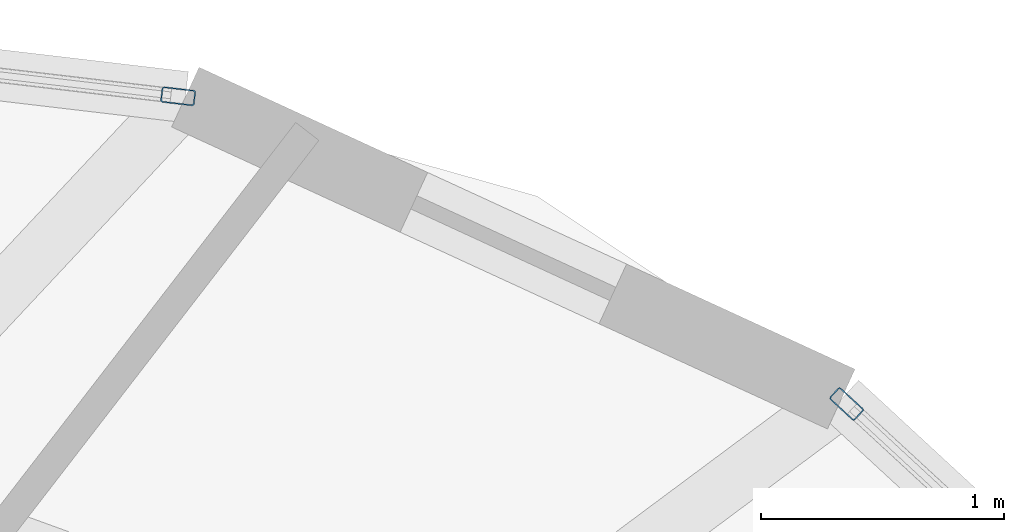
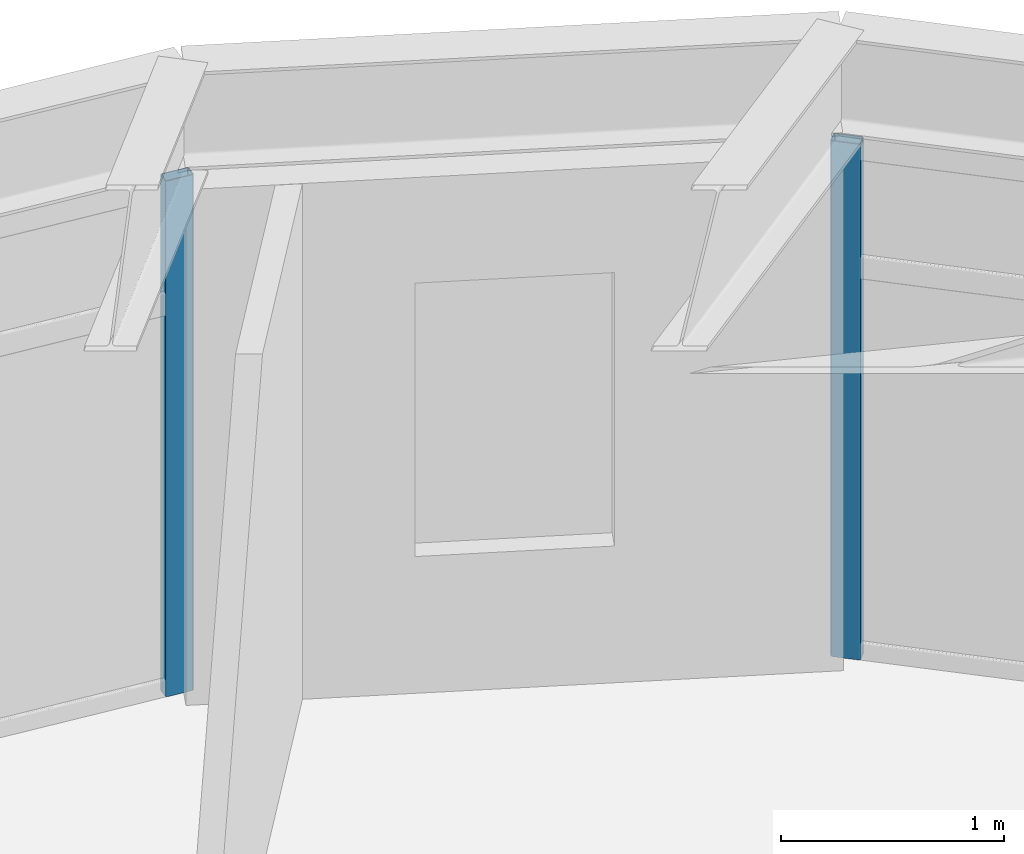
# One storey, part 18 of 25: 2 members, 2 elements without a shape of their own.
"""IFC4 building model written with IfcOpenShell, lengths in metres."""

from ifc_helpers import new_model, si_unit, direction, frame, origin, origin_2d, place, context, subcontext, project, spatial, hollow_rectangle, extrude, material, layer, layer_set, material_profile, profile_set, type_object, element, aggregate, save


model = new_model("IFC4")

# Units and contexts
model_context = context("Model", 3, precision=1e-05, world=origin(), true_north=direction((0.0, 1.0)))
body_context = subcontext(model_context, "Body", "Model", "MODEL_VIEW")
ifc_project = project(units=[si_unit("LENGTHUNIT", "METRE"), si_unit("AREAUNIT", "SQUARE_METRE"), si_unit("VOLUMEUNIT", "CUBIC_METRE"), si_unit("PLANEANGLEUNIT", "RADIAN"), si_unit("MASSUNIT", "GRAM", prefix="KILO")], contexts=[model_context])

# Site, building, storey
site_placement = place(None, origin())
site = spatial("IfcSite", under=ifc_project, at=site_placement, CompositionType="ELEMENT")
building_placement = place(site_placement, origin())
building = spatial("IfcBuilding", under=site, at=building_placement, Name="Soratama Intermodal Tower", CompositionType="ELEMENT")
storey_placement = place(building_placement, frame((0.0, 0.0, 272.5)))
storey = spatial("IfcBuildingStorey", under=building, at=storey_placement, Name="L69", CompositionType="ELEMENT", Elevation=272.5)

# Curtain wall, member
ifc_material_1 = material(Name="Double-glazed aluminium curtain wall", Category="aluminium")
ifc_layer = layer(ifc_material_1, 0.159912109375)
ifc_layer_set = layer_set([ifc_layer], Name="Double-glazed aluminium curtain wall")
curtain_wall_type = type_object("IfcCurtainWallType", Name="CW-SYS-5", PredefinedType="NOTDEFINED", material=ifc_layer_set)
curtain_wall_1_placement = place(storey_placement, origin())
curtain_wall_1 = element("IfcCurtainWall", 1, at=curtain_wall_1_placement, inside=storey, type_object=curtain_wall_type, Name="L69 Faceted Curtain Wall F01", PredefinedType="NOTDEFINED")
ifc_material_2 = material(Name="Anodised aluminium AA 6063-T6", Category="aluminium")
ifc_material_profile = material_profile(ifc_material_2, hollow_rectangle(XDim=0.06494140625, YDim=0.139892578125, WallThickness=0.0048828125, InnerFilletRadius=0.0048828125, OuterFilletRadius=0.010009765625, at=origin_2d()), Name="CWM140X65X5")
ifc_profile_set = profile_set([ifc_material_profile], Name="Anodised aluminium AA 6063-T6")
member_type = type_object("IfcMemberType", Name="MT-CWM-5", PredefinedType="MULLION", material=ifc_profile_set)
member_1_placement = place(storey_placement, frame((51.283203125, 42.26318359375, 0.0), z_axis=(0.0, 0.0, 1.0), x_axis=(-0.117013261669, -0.993130352267, 0.0)))
member_1 = element("IfcMember", 2, at=member_1_placement, type_object=member_type, Name="CW-5 mullion 1", PredefinedType="MULLION", context=body_context, shape_type="SweptSolid", body=[
    extrude(hollow_rectangle(XDim=0.06494140625, YDim=0.139892578125, WallThickness=0.0048828125, InnerFilletRadius=0.0048828125, OuterFilletRadius=0.010009765625, at=origin_2d()), origin(), (0.0, 0.0, 1.0), 2.8291015625),
])
aggregate(curtain_wall_1, [member_1])

curtain_wall_2_placement = place(storey_placement, origin())
curtain_wall_2 = element("IfcCurtainWall", 3, at=curtain_wall_2_placement, inside=storey, type_object=curtain_wall_type, Name="L69 Faceted Curtain Wall F10", PredefinedType="NOTDEFINED")
member_2_placement = place(storey_placement, frame((54.02978515625, 40.998779296875, 0.0), z_axis=(0.0, 0.0, 1.0), x_axis=(-0.678416910779, -0.734677136686, 0.0)))
member_2 = element("IfcMember", 4, at=member_2_placement, type_object=member_type, Name="CW-5 mullion 2", PredefinedType="MULLION", context=body_context, shape_type="SweptSolid", body=[
    extrude(hollow_rectangle(XDim=0.06494140625, YDim=0.139892578125, WallThickness=0.0048828125, InnerFilletRadius=0.0048828125, OuterFilletRadius=0.010009765625, at=origin_2d()), origin(), (0.0, 0.0, 1.0), 2.8291015625),
])
aggregate(curtain_wall_2, [member_2])

save(model, "model.ifc")
